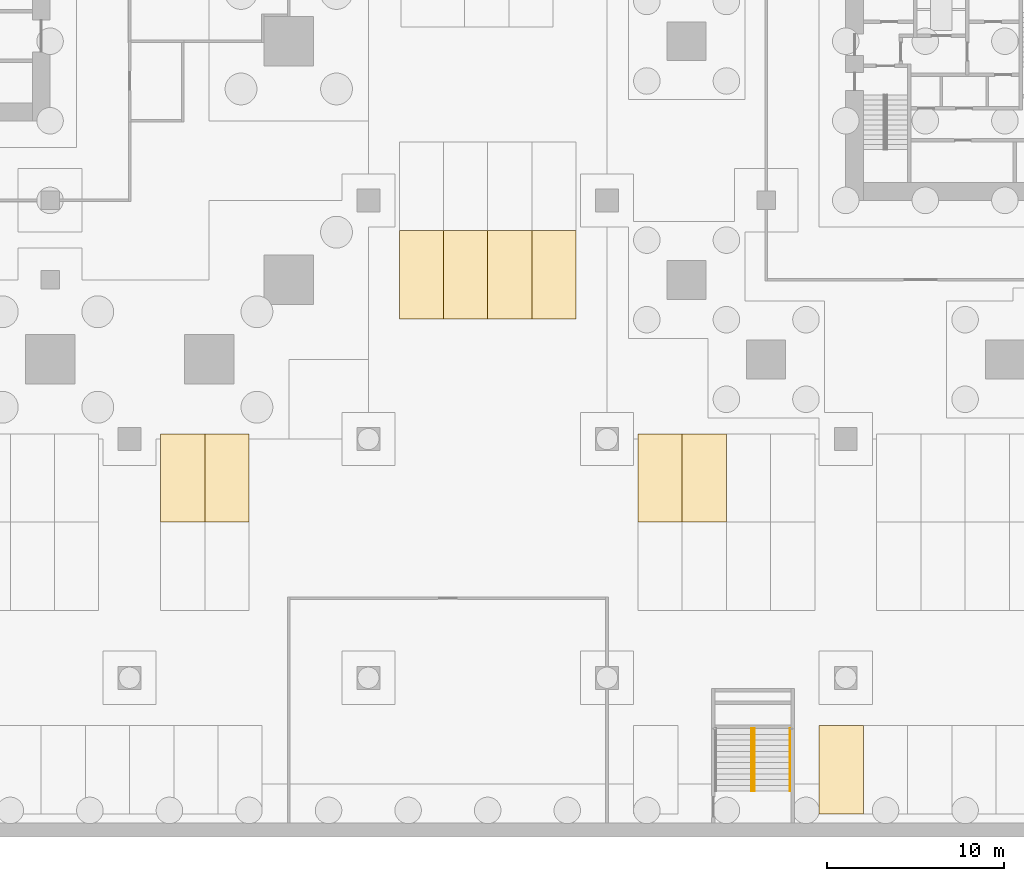
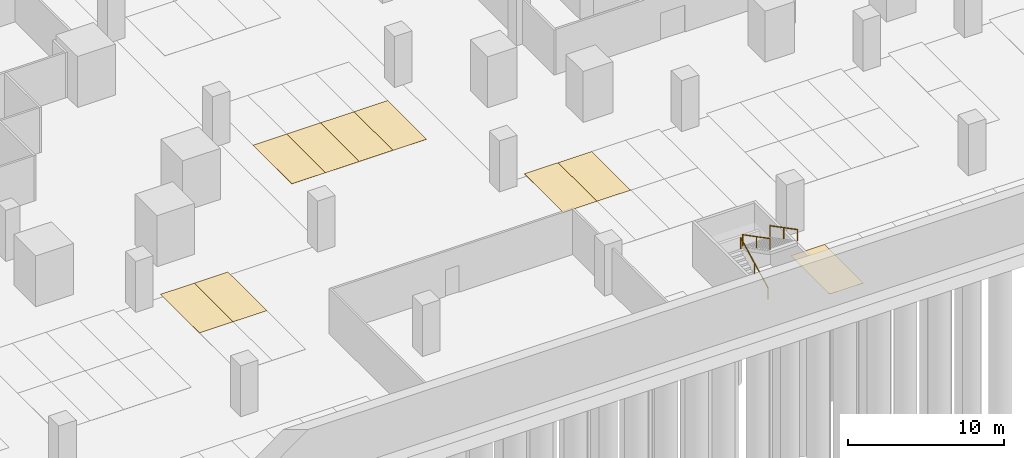
# One storey, part 29 of 40: 9 coverings, 3 railings.
"""IFC4 building model written with IfcOpenShell, lengths in metres."""

from ifc_helpers import new_model, si_unit, direction, frame, origin, origin_2d, place, context, subcontext, project, spatial, polyline, circle, outline, extrude, source, transform, mapped, material, layer, layer_set, type_object, element, save


model = new_model("IFC4")

# Units and contexts
model_context = context("Model", 3, precision=1e-05, world=origin(), true_north=direction((0.0, 1.0)))
body_context = subcontext(model_context, "Body", "Model", "MODEL_VIEW")
ifc_project = project(units=[si_unit("LENGTHUNIT", "METRE"), si_unit("AREAUNIT", "SQUARE_METRE"), si_unit("VOLUMEUNIT", "CUBIC_METRE"), si_unit("PLANEANGLEUNIT", "RADIAN"), si_unit("MASSUNIT", "GRAM", prefix="KILO")], contexts=[model_context])

# Site, building, storey
site_placement = place(None, origin())
site = spatial("IfcSite", under=ifc_project, at=site_placement, CompositionType="ELEMENT")
building_placement = place(site_placement, origin())
building = spatial("IfcBuilding", under=site, at=building_placement, Name="Altepetl Exchange Towers", CompositionType="ELEMENT")
storey_placement = place(building_placement, frame((0.0, 0.0, -8.0)))
storey = spatial("IfcBuildingStorey", under=building, at=storey_placement, Name="B2 Basement parking", CompositionType="ELEMENT", Elevation=-8.0)

# Coverings
ifc_material_1 = material(Name="Road marking paint")
ifc_layer = layer(ifc_material_1, 0.010009765625)
ifc_layer_set = layer_set([ifc_layer], Name="Road marking paint")
covering_type = type_object("IfcCoveringType", Name="Parking bay marking 2500 x 5000", PredefinedType="FLOORING", material=ifc_layer_set)
covering_1_placement = place(storey_placement, origin())
element("IfcCovering", 1, at=covering_1_placement, inside=storey, type_object=covering_type, Name="Parking bay B2-017", PredefinedType="FLOORING", context=body_context, shape_type="SweptSolid", body=[
    extrude(outline(polyline([(102.0, 1.300048828125), (104.5, 1.300048828125), (104.5, 6.300048828125), (102.0, 6.300048828125), (102.0, 1.300048828125)])), origin(), (0.0, 0.0, 1.0), 0.010009765625),
])
covering_2_placement = place(storey_placement, origin())
element("IfcCovering", 2, at=covering_2_placement, inside=storey, type_object=covering_type, Name="Parking bay B2-063", PredefinedType="FLOORING", context=body_context, shape_type="SweptSolid", body=[
    extrude(outline(polyline([(64.75, 17.800048828125), (67.25, 17.800048828125), (67.25, 22.800048828125), (64.75, 22.800048828125), (64.75, 17.800048828125)])), origin(), (0.0, 0.0, 1.0), 0.010009765625),
])
covering_3_placement = place(storey_placement, origin())
element("IfcCovering", 3, at=covering_3_placement, inside=storey, type_object=covering_type, Name="Parking bay B2-064", PredefinedType="FLOORING", context=body_context, shape_type="SweptSolid", body=[
    extrude(outline(polyline([(67.25, 17.800048828125), (69.75, 17.800048828125), (69.75, 22.800048828125), (67.25, 22.800048828125), (67.25, 17.800048828125)])), origin(), (0.0, 0.0, 1.0), 0.010009765625),
])
covering_4_placement = place(storey_placement, origin())
element("IfcCovering", 4, at=covering_4_placement, inside=storey, type_object=covering_type, Name="Parking bay B2-065", PredefinedType="FLOORING", context=body_context, shape_type="SweptSolid", body=[
    extrude(outline(polyline([(91.75, 17.800048828125), (94.25, 17.800048828125), (94.25, 22.800048828125), (91.75, 22.800048828125), (91.75, 17.800048828125)])), origin(), (0.0, 0.0, 1.0), 0.010009765625),
])
covering_5_placement = place(storey_placement, origin())
element("IfcCovering", 5, at=covering_5_placement, inside=storey, type_object=covering_type, Name="Parking bay B2-066", PredefinedType="FLOORING", context=body_context, shape_type="SweptSolid", body=[
    extrude(outline(polyline([(94.25, 17.800048828125), (96.75, 17.800048828125), (96.75, 22.800048828125), (94.25, 22.800048828125), (94.25, 17.800048828125)])), origin(), (0.0, 0.0, 1.0), 0.010009765625),
])
covering_6_placement = place(storey_placement, origin())
element("IfcCovering", 6, at=covering_6_placement, inside=storey, type_object=covering_type, Name="Parking bay B2-075", PredefinedType="FLOORING", context=body_context, shape_type="SweptSolid", body=[
    extrude(outline(polyline([(78.25, 29.300048828125), (80.75, 29.300048828125), (80.75, 34.300048828125), (78.25, 34.300048828125), (78.25, 29.300048828125)])), origin(), (0.0, 0.0, 1.0), 0.010009765625),
])
covering_7_placement = place(storey_placement, origin())
element("IfcCovering", 7, at=covering_7_placement, inside=storey, type_object=covering_type, Name="Parking bay B2-076", PredefinedType="FLOORING", context=body_context, shape_type="SweptSolid", body=[
    extrude(outline(polyline([(80.75, 29.300048828125), (83.25, 29.300048828125), (83.25, 34.300048828125), (80.75, 34.300048828125), (80.75, 29.300048828125)])), origin(), (0.0, 0.0, 1.0), 0.010009765625),
])
covering_8_placement = place(storey_placement, origin())
element("IfcCovering", 8, at=covering_8_placement, inside=storey, type_object=covering_type, Name="Parking bay B2-077", PredefinedType="FLOORING", context=body_context, shape_type="SweptSolid", body=[
    extrude(outline(polyline([(83.25, 29.300048828125), (85.75, 29.300048828125), (85.75, 34.300048828125), (83.25, 34.300048828125), (83.25, 29.300048828125)])), origin(), (0.0, 0.0, 1.0), 0.010009765625),
])
covering_9_placement = place(storey_placement, origin())
element("IfcCovering", 9, at=covering_9_placement, inside=storey, type_object=covering_type, Name="Parking bay B2-078", PredefinedType="FLOORING", context=body_context, shape_type="SweptSolid", body=[
    extrude(outline(polyline([(85.75, 29.300048828125), (88.25, 29.300048828125), (88.25, 34.300048828125), (85.75, 34.300048828125), (85.75, 29.300048828125)])), origin(), (0.0, 0.0, 1.0), 0.010009765625),
])

# Railings
ifc_material_2 = material(Name="Stainless steel", Category="steel")
railing_type = type_object("IfcRailingType", Name="Stair handrail 900", PredefinedType="HANDRAIL", material=ifc_material_2)
shared_shape = source(origin(), body_context, "Body", "SweptSolid", [
    extrude(circle(Radius=0.02001953125, at=origin_2d()), origin(), (0.0, 0.0, 1.0), 0.849853515625),
])
railing_placement = place(storey_placement, frame((98.175048828125, 2.60009765625, 0.166748046875)))
element("IfcRailing", 10, at=railing_placement, inside=storey, type_object=railing_type, Name="rail:P:B2:ES2:1b", PredefinedType="HANDRAIL", context=body_context, shape_type="SweptSolid", body=[
    extrude(circle(Radius=0.02490234375, at=origin_2d()), frame((0.0, 0.0, 0.875), z_axis=(0.0, 0.886923534906, 0.461916272965), x_axis=(-1.0, 0.0, 0.0)), (0.0, 0.0, 1.0), 3.96875),
    mapped(shared_shape, transform((0.0, 0.0, 0.0))),
    mapped(shared_shape, transform((0.0, 1.760009765625, 0.91650390625))),
    mapped(shared_shape, transform((0.0, 3.52001953125, 1.833251953125))),
])
for number, where, name in (
    (11, (98.324951171875, 6.1201171875, 2.166748046875), "rail:P:B2:ES2:2a"),
    (12, (100.35009765625, 6.1201171875, 2.166748046875), "rail:P:B2:ES2:2b"),
):
    element("IfcRailing", number, at=place(storey_placement, frame(where)), inside=storey, type_object=railing_type, Name=name, PredefinedType="HANDRAIL", context=body_context, shape_type="SweptSolid", body=[
        extrude(circle(Radius=0.02490234375, at=origin_2d()), frame((0.0, 0.0, 0.875), z_axis=(0.0, -0.886923534906, 0.461916272965), x_axis=(1.0, 0.0, 0.0)), (0.0, 0.0, 1.0), 3.96875),
        mapped(shared_shape, transform((0.0, 0.0, 0.0))),
        mapped(shared_shape, transform((0.0, -1.760009765625, 0.91650390625))),
        mapped(shared_shape, transform((0.0, -3.52001953125, 1.833251953125))),
    ])

save(model, "model.ifc")
